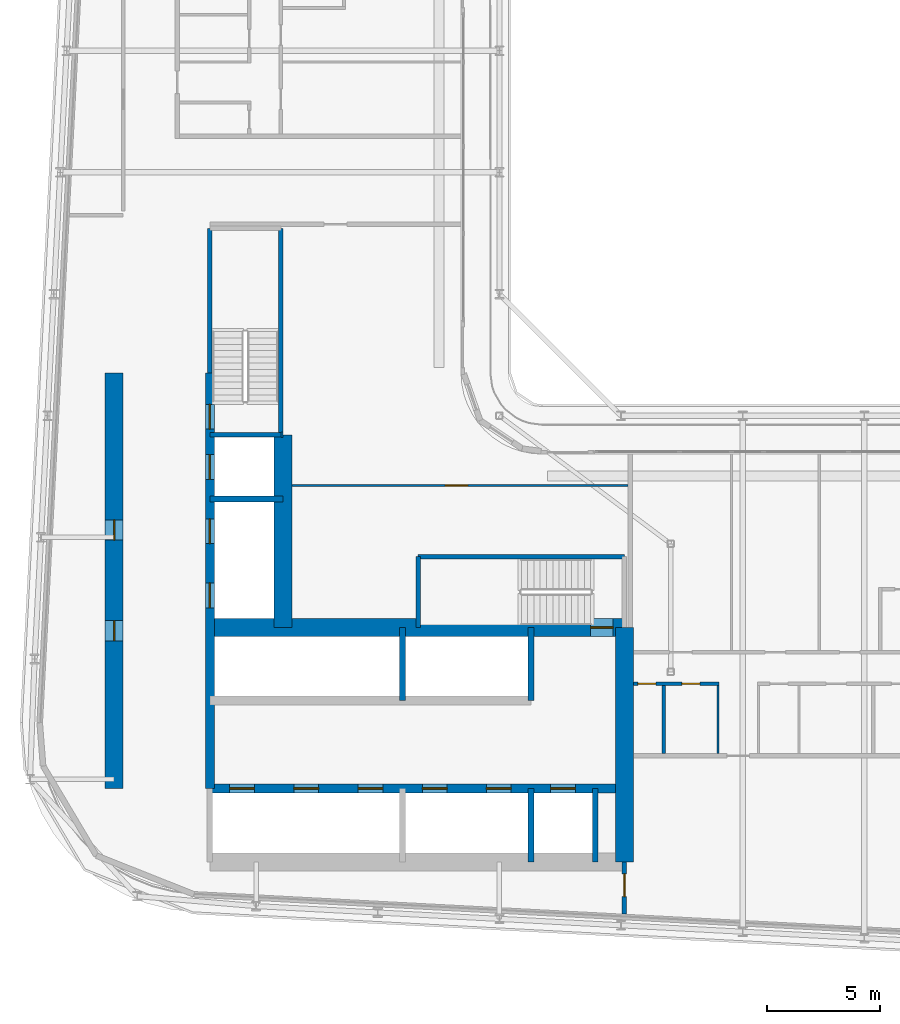
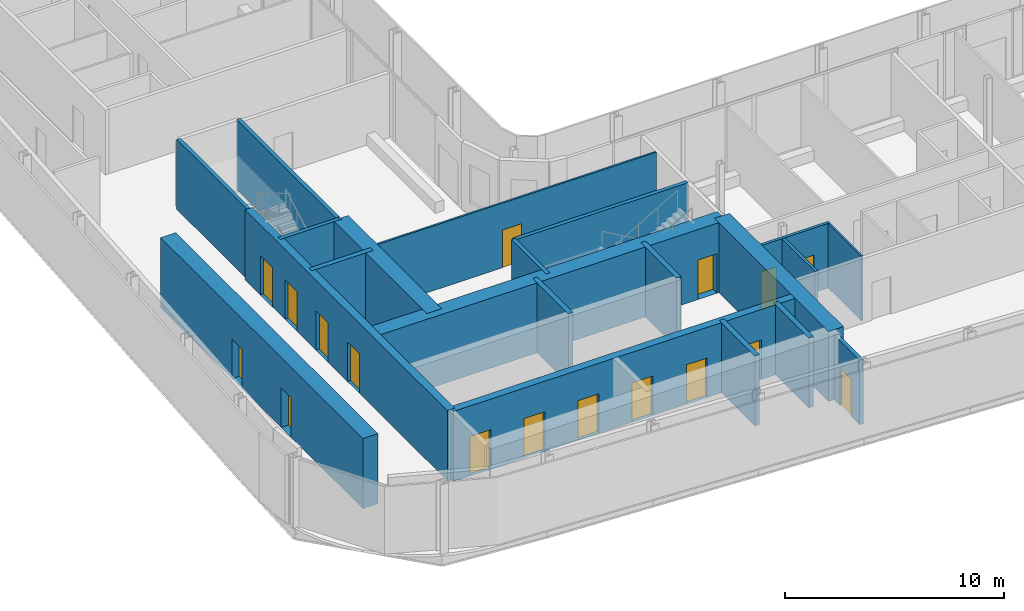
# One storey, part 11 of 24: 22 walls, 17 doors, 17 openings.
"""IFC4 building model written with IfcOpenShell, lengths in metres."""

from ifc_helpers import new_model, si_unit, direction, frame, frame_2d, origin, place, context, subcontext, project, spatial, rectangle, extrude, source, transform, mapped, material, layer, layer_set, type_object, element, fill, save


model = new_model("IFC4")

# Units and contexts
model_context = context("Model", 3, precision=1e-05, world=origin(), true_north=direction((0.0, 1.0)))
body_context = subcontext(model_context, "Body", "Model", "MODEL_VIEW")
ifc_project = project(units=[si_unit("LENGTHUNIT", "METRE"), si_unit("AREAUNIT", "SQUARE_METRE"), si_unit("VOLUMEUNIT", "CUBIC_METRE"), si_unit("PLANEANGLEUNIT", "RADIAN"), si_unit("MASSUNIT", "GRAM", prefix="KILO")], contexts=[model_context])

# Site, building, storey
site_placement = place(None, origin())
site = spatial("IfcSite", under=ifc_project, at=site_placement, CompositionType="ELEMENT")
building_placement = place(site_placement, origin())
building = spatial("IfcBuilding", under=site, at=building_placement, Name="Kheshtan School and Residences Tower", CompositionType="ELEMENT")
storey_placement = place(building_placement, frame((0.0, 0.0, 160.39990234375)))
storey = spatial("IfcBuildingStorey", under=building, at=storey_placement, Name="L37", CompositionType="ELEMENT", Elevation=160.39990234375)

# Wall, openings, doors
ifc_material_1 = material(Name="Concrete C50/60", Category="concrete")
ifc_layer_1 = layer(ifc_material_1, 0.39990234375)
ifc_layer_set_1 = layer_set([ifc_layer_1], Name="Core wall 400 Concrete C50/60")
wall_type_1 = type_object("IfcWallType", Name="Core wall 400 Concrete C50/60", PredefinedType="SHEAR", material=ifc_layer_set_1)
wall_1_placement = place(storey_placement, frame((34.75, 29.050048828125, 0.0), z_axis=(0.0, 0.0, 1.0), x_axis=(1.0, 0.0, 0.0)))
wall_1 = element("IfcWall", 1, at=wall_1_placement, inside=storey, type_object=wall_type_1, Name="Core wall CW-HALL-S1", PredefinedType="SHEAR", context=body_context, shape_type="SweptSolid", body=[
    extrude(rectangle(XDim=18.39990234375, YDim=0.39990234375, at=frame_2d((9.199951171875, 0.0))), origin(), (0.0, 0.0, 1.0), 3.900146484375),
])
opening_1_placement = place(wall_1_placement, frame((0.875, 0.0, 0.0)))
opening_1 = element("IfcOpeningElement", 2, at=opening_1_placement, cuts=wall_1, Name="Opening LD", PredefinedType="OPENING", context=body_context, shape_type="SweptSolid", body=[
    extrude(rectangle(XDim=1.10009765625, YDim=2.199951171875, at=frame_2d((0.550048828125, 1.10009765625))), frame((0.0, 0.2099609375, 0.0), z_axis=(0.0, -1.0, 0.0), x_axis=(1.0, 0.0, 0.0)), (0.0, 0.0, 1.0), 0.419921875),
])
opening_2_placement = place(wall_1_placement, frame((3.72509765625, 0.0, 0.0)))
opening_2 = element("IfcOpeningElement", 3, at=opening_2_placement, cuts=wall_1, Name="Opening LD", PredefinedType="OPENING", context=body_context, shape_type="SweptSolid", body=[
    extrude(rectangle(XDim=1.10009765625, YDim=2.199951171875, at=frame_2d((0.550048828125, 1.10009765625))), frame((0.0, 0.2099609375, 0.0), z_axis=(0.0, -1.0, 0.0), x_axis=(1.0, 0.0, 0.0)), (0.0, 0.0, 1.0), 0.419921875),
])
opening_3_placement = place(wall_1_placement, frame((6.574951171875, 0.0, 0.0)))
opening_3 = element("IfcOpeningElement", 4, at=opening_3_placement, cuts=wall_1, Name="Opening LD", PredefinedType="OPENING", context=body_context, shape_type="SweptSolid", body=[
    extrude(rectangle(XDim=1.10009765625, YDim=2.199951171875, at=frame_2d((0.550048828125, 1.10009765625))), frame((0.0, 0.2099609375, 0.0), z_axis=(0.0, -1.0, 0.0), x_axis=(1.0, 0.0, 0.0)), (0.0, 0.0, 1.0), 0.419921875),
])
opening_4_placement = place(wall_1_placement, frame((9.425048828125, 0.0, 0.0)))
opening_4 = element("IfcOpeningElement", 5, at=opening_4_placement, cuts=wall_1, Name="Opening LD", PredefinedType="OPENING", context=body_context, shape_type="SweptSolid", body=[
    extrude(rectangle(XDim=1.10009765625, YDim=2.199951171875, at=frame_2d((0.550048828125, 1.10009765625))), frame((0.0, 0.2099609375, 0.0), z_axis=(0.0, -1.0, 0.0), x_axis=(1.0, 0.0, 0.0)), (0.0, 0.0, 1.0), 0.419921875),
])
opening_5_placement = place(wall_1_placement, frame((12.27490234375, 0.0, 0.0)))
opening_5 = element("IfcOpeningElement", 6, at=opening_5_placement, cuts=wall_1, Name="Opening LD", PredefinedType="OPENING", context=body_context, shape_type="SweptSolid", body=[
    extrude(rectangle(XDim=1.10009765625, YDim=2.199951171875, at=frame_2d((0.550048828125, 1.10009765625))), frame((0.0, 0.2099609375, 0.0), z_axis=(0.0, -1.0, 0.0), x_axis=(1.0, 0.0, 0.0)), (0.0, 0.0, 1.0), 0.419921875),
])
opening_6_placement = place(wall_1_placement, frame((15.125, 0.0, 0.0)))
opening_6 = element("IfcOpeningElement", 7, at=opening_6_placement, cuts=wall_1, Name="Opening LD", PredefinedType="OPENING", context=body_context, shape_type="SweptSolid", body=[
    extrude(rectangle(XDim=1.10009765625, YDim=2.199951171875, at=frame_2d((0.550048828125, 1.10009765625))), frame((0.0, 0.2099609375, 0.0), z_axis=(0.0, -1.0, 0.0), x_axis=(1.0, 0.0, 0.0)), (0.0, 0.0, 1.0), 0.419921875),
])
ifc_material_2 = material(Name="Stainless steel door leaves", Category="steel")
door_type_1 = type_object("IfcDoorType", Name="Lift landing door 1100", OperationType="SLIDING_TO_LEFT", PredefinedType="DOOR", material=ifc_material_2)
shared_shape_1 = source(origin(), body_context, "Body", "SweptSolid", [
    extrude(rectangle(XDim=1.10009765625, YDim=2.199951171875, at=frame_2d((0.550048828125, 1.10009765625))), frame((0.0, 0.02490234375, 0.0), z_axis=(0.0, -1.0, 0.0), x_axis=(1.0, 0.0, 0.0)), (0.0, 0.0, 1.0), 0.050048828125),
])
door_1_placement = place(opening_1_placement, origin())
door_1 = element("IfcDoor", 8, at=door_1_placement, inside=storey, type_object=door_type_1, Name="Lift P7 landing door", OperationType="SLIDING_TO_LEFT", OverallHeight=2.199951171875, OverallWidth=1.10009765625, PredefinedType="DOOR", context=body_context, shape_type="MappedRepresentation", body=[
    mapped(shared_shape_1, transform((0.0, 0.0, 0.0), x_axis=(1.0, 0.0, 0.0), y_axis=(0.0, 1.0, 0.0), z_axis=(0.0, 0.0, 1.0), scale=1.0)),
])
fill(opening_1, door_1)
door_2_placement = place(opening_2_placement, origin())
door_2 = element("IfcDoor", 9, at=door_2_placement, inside=storey, type_object=door_type_1, Name="Lift P8 landing door", OperationType="SLIDING_TO_LEFT", OverallHeight=2.199951171875, OverallWidth=1.10009765625, PredefinedType="DOOR", context=body_context, shape_type="MappedRepresentation", body=[
    mapped(shared_shape_1, transform((0.0, 0.0, 0.0), x_axis=(1.0, 0.0, 0.0), y_axis=(0.0, 1.0, 0.0), z_axis=(0.0, 0.0, 1.0), scale=1.0)),
])
fill(opening_2, door_2)
door_3_placement = place(opening_3_placement, origin())
door_3 = element("IfcDoor", 10, at=door_3_placement, inside=storey, type_object=door_type_1, Name="Lift P9 landing door", OperationType="SLIDING_TO_LEFT", OverallHeight=2.199951171875, OverallWidth=1.10009765625, PredefinedType="DOOR", context=body_context, shape_type="MappedRepresentation", body=[
    mapped(shared_shape_1, transform((0.0, 0.0, 0.0), x_axis=(1.0, 0.0, 0.0), y_axis=(0.0, 1.0, 0.0), z_axis=(0.0, 0.0, 1.0), scale=1.0)),
])
fill(opening_3, door_3)
door_4_placement = place(opening_4_placement, origin())
door_4 = element("IfcDoor", 11, at=door_4_placement, inside=storey, type_object=door_type_1, Name="Lift P10 landing door", OperationType="SLIDING_TO_LEFT", OverallHeight=2.199951171875, OverallWidth=1.10009765625, PredefinedType="DOOR", context=body_context, shape_type="MappedRepresentation", body=[
    mapped(shared_shape_1, transform((0.0, 0.0, 0.0), x_axis=(1.0, 0.0, 0.0), y_axis=(0.0, 1.0, 0.0), z_axis=(0.0, 0.0, 1.0), scale=1.0)),
])
fill(opening_4, door_4)
door_5_placement = place(opening_5_placement, origin())
door_5 = element("IfcDoor", 12, at=door_5_placement, inside=storey, type_object=door_type_1, Name="Lift P11 landing door", OperationType="SLIDING_TO_LEFT", OverallHeight=2.199951171875, OverallWidth=1.10009765625, PredefinedType="DOOR", context=body_context, shape_type="MappedRepresentation", body=[
    mapped(shared_shape_1, transform((0.0, 0.0, 0.0), x_axis=(1.0, 0.0, 0.0), y_axis=(0.0, 1.0, 0.0), z_axis=(0.0, 0.0, 1.0), scale=1.0)),
])
fill(opening_5, door_5)
door_6_placement = place(opening_6_placement, origin())
door_6 = element("IfcDoor", 13, at=door_6_placement, inside=storey, type_object=door_type_1, Name="Lift FFL2 landing door", OperationType="SLIDING_TO_LEFT", OverallHeight=2.199951171875, OverallWidth=1.10009765625, PredefinedType="DOOR", context=body_context, shape_type="MappedRepresentation", body=[
    mapped(shared_shape_1, transform((0.0, 0.0, 0.0), x_axis=(1.0, 0.0, 0.0), y_axis=(0.0, 1.0, 0.0), z_axis=(0.0, 0.0, 1.0), scale=1.0)),
])
fill(opening_6, door_6)

wall_2_placement = place(storey_placement, frame((34.75, 29.050048828125, 0.0), z_axis=(0.0, 0.0, 1.0), x_axis=(0.0, 1.0, 0.0)))
wall_2 = element("IfcWall", 14, at=wall_2_placement, inside=storey, type_object=wall_type_1, Name="Core wall CW-HALL-W1", PredefinedType="SHEAR", context=body_context, shape_type="SweptSolid", body=[
    extrude(rectangle(XDim=18.449951171875, YDim=0.39990234375, at=frame_2d((9.22509765625, 0.0))), origin(), (0.0, 0.0, 1.0), 3.900146484375),
])
opening_7_placement = place(wall_2_placement, frame((8.02490234375, 0.0, 0.0)))
opening_7 = element("IfcOpeningElement", 15, at=opening_7_placement, cuts=wall_2, Name="Opening LD", PredefinedType="OPENING", context=body_context, shape_type="SweptSolid", body=[
    extrude(rectangle(XDim=1.10009765625, YDim=2.199951171875, at=frame_2d((0.550048828125, 1.10009765625))), frame((0.0, 0.2099609375, 0.0), z_axis=(0.0, -1.0, 0.0), x_axis=(1.0, 0.0, 0.0)), (0.0, 0.0, 1.0), 0.419921875),
])
opening_8_placement = place(wall_2_placement, frame((10.875, 0.0, 0.0)))
opening_8 = element("IfcOpeningElement", 16, at=opening_8_placement, cuts=wall_2, Name="Opening LD", PredefinedType="OPENING", context=body_context, shape_type="SweptSolid", body=[
    extrude(rectangle(XDim=1.10009765625, YDim=2.199951171875, at=frame_2d((0.550048828125, 1.10009765625))), frame((0.0, 0.2099609375, 0.0), z_axis=(0.0, -1.0, 0.0), x_axis=(1.0, 0.0, 0.0)), (0.0, 0.0, 1.0), 0.419921875),
])
opening_9_placement = place(wall_2_placement, frame((13.72509765625, 0.0, 0.0)))
opening_9 = element("IfcOpeningElement", 17, at=opening_9_placement, cuts=wall_2, Name="Opening LD", PredefinedType="OPENING", context=body_context, shape_type="SweptSolid", body=[
    extrude(rectangle(XDim=1.10009765625, YDim=2.199951171875, at=frame_2d((0.550048828125, 1.10009765625))), frame((0.0, 0.2099609375, 0.0), z_axis=(0.0, -1.0, 0.0), x_axis=(1.0, 0.0, 0.0)), (0.0, 0.0, 1.0), 0.419921875),
])
opening_10_placement = place(wall_2_placement, frame((15.949951171875, 0.0, 0.0)))
opening_10 = element("IfcOpeningElement", 18, at=opening_10_placement, cuts=wall_2, Name="Opening ST2D", PredefinedType="OPENING", context=body_context, shape_type="SweptSolid", body=[
    extrude(rectangle(XDim=1.10009765625, YDim=2.199951171875, at=frame_2d((0.550048828125, 1.10009765625))), frame((0.0, 0.2099609375, 0.0), z_axis=(0.0, -1.0, 0.0), x_axis=(1.0, 0.0, 0.0)), (0.0, 0.0, 1.0), 0.419921875),
])
door_7_placement = place(opening_7_placement, origin())
door_7 = element("IfcDoor", 19, at=door_7_placement, inside=storey, type_object=door_type_1, Name="Lift SV1 landing door", OperationType="SLIDING_TO_LEFT", OverallHeight=2.199951171875, OverallWidth=1.10009765625, PredefinedType="DOOR", context=body_context, shape_type="MappedRepresentation", body=[
    mapped(shared_shape_1, transform((0.0, 0.0, 0.0), x_axis=(1.0, 0.0, 0.0), y_axis=(0.0, 1.0, 0.0), z_axis=(0.0, 0.0, 1.0), scale=1.0)),
])
fill(opening_7, door_7)
door_8_placement = place(opening_8_placement, origin())
door_8 = element("IfcDoor", 20, at=door_8_placement, inside=storey, type_object=door_type_1, Name="Lift SV2 landing door", OperationType="SLIDING_TO_LEFT", OverallHeight=2.199951171875, OverallWidth=1.10009765625, PredefinedType="DOOR", context=body_context, shape_type="MappedRepresentation", body=[
    mapped(shared_shape_1, transform((0.0, 0.0, 0.0), x_axis=(1.0, 0.0, 0.0), y_axis=(0.0, 1.0, 0.0), z_axis=(0.0, 0.0, 1.0), scale=1.0)),
])
fill(opening_8, door_8)
door_9_placement = place(opening_9_placement, origin())
door_9 = element("IfcDoor", 21, at=door_9_placement, inside=storey, type_object=door_type_1, Name="Lift FFL1 landing door", OperationType="SLIDING_TO_LEFT", OverallHeight=2.199951171875, OverallWidth=1.10009765625, PredefinedType="DOOR", context=body_context, shape_type="MappedRepresentation", body=[
    mapped(shared_shape_1, transform((0.0, 0.0, 0.0), x_axis=(1.0, 0.0, 0.0), y_axis=(0.0, 1.0, 0.0), z_axis=(0.0, 0.0, 1.0), scale=1.0)),
])
fill(opening_9, door_9)
ifc_material_3 = material(Name="Steel door leaf, galvanised", Category="steel")
door_type_2 = type_object("IfcDoorType", Name="Stair door 1100 steel 90 min", OperationType="SINGLE_SWING_LEFT", PredefinedType="DOOR", material=ifc_material_3)
shared_shape_2 = source(origin(), body_context, "Body", "SweptSolid", [
    extrude(rectangle(XDim=1.10009765625, YDim=2.199951171875, at=frame_2d((0.550048828125, 1.10009765625))), frame((0.0, 0.02490234375, 0.0), z_axis=(0.0, -1.0, 0.0), x_axis=(1.0, 0.0, 0.0)), (0.0, 0.0, 1.0), 0.050048828125),
])
door_10_placement = place(opening_10_placement, origin())
door_10 = element("IfcDoor", 22, at=door_10_placement, inside=storey, type_object=door_type_2, Name="Stair ST2 door", OperationType="SINGLE_SWING_RIGHT", OverallHeight=2.199951171875, OverallWidth=1.10009765625, PredefinedType="DOOR", context=body_context, shape_type="MappedRepresentation", body=[
    mapped(shared_shape_2, transform((0.0, 0.0, 0.0), x_axis=(1.0, 0.0, 0.0), y_axis=(0.0, 1.0, 0.0), z_axis=(0.0, 0.0, 1.0), scale=1.0)),
])
fill(opening_10, door_10)

# Wall, opening, door
ifc_material_4 = material(Name="Concrete C70/85", Category="concrete")
ifc_layer_2 = layer(ifc_material_4, 0.800048828125)
ifc_layer_set_2 = layer_set([ifc_layer_2], Name="Core wall 800 Concrete C70/85")
wall_type_2 = type_object("IfcWallType", Name="Core wall 800 Concrete C70/85", PredefinedType="SHEAR", material=ifc_layer_set_2)
wall_3_placement = place(storey_placement, frame((34.75, 36.199951171875, 0.0), z_axis=(0.0, 0.0, 1.0), x_axis=(1.0, 0.0, 0.0)))
wall_3 = element("IfcWall", 23, at=wall_3_placement, inside=storey, type_object=wall_type_2, Name="Core wall CW-FRONT-S", PredefinedType="SHEAR", context=body_context, shape_type="SweptSolid", body=[
    extrude(rectangle(XDim=18.39990234375, YDim=0.800048828125, at=frame_2d((9.199951171875, 0.0))), origin(), (0.0, 0.0, 1.0), 3.900146484375),
])
opening_11_placement = place(wall_3_placement, frame((16.89990234375, 0.0, 0.0)))
opening_11 = element("IfcOpeningElement", 24, at=opening_11_placement, cuts=wall_3, Name="Opening ST1D", PredefinedType="OPENING", context=body_context, shape_type="SweptSolid", body=[
    extrude(rectangle(XDim=1.0, YDim=2.199951171875, at=frame_2d((0.5, 1.10009765625))), frame((0.0, 0.41015625, 0.0), z_axis=(0.0, -1.0, 0.0), x_axis=(1.0, 0.0, 0.0)), (0.0, 0.0, 1.0), 0.820068359375),
])
shared_shape_3 = source(origin(), body_context, "Body", "SweptSolid", [
    extrude(rectangle(XDim=1.0, YDim=2.199951171875, at=frame_2d((0.5, 1.10009765625))), frame((0.0, 0.02490234375, 0.0), z_axis=(0.0, -1.0, 0.0), x_axis=(1.0, 0.0, 0.0)), (0.0, 0.0, 1.0), 0.050048828125),
])
door_11_placement = place(opening_11_placement, origin())
door_11 = element("IfcDoor", 25, at=door_11_placement, inside=storey, type_object=door_type_2, Name="Stair ST1 door", OperationType="SINGLE_SWING_RIGHT", OverallHeight=2.199951171875, OverallWidth=1.0, PredefinedType="DOOR", context=body_context, shape_type="MappedRepresentation", body=[
    mapped(shared_shape_3, transform((0.0, 0.0, 0.0), x_axis=(1.0, 0.0, 0.0), y_axis=(0.0, 1.0, 0.0), z_axis=(0.0, 0.0, 1.0), scale=1.0)),
])
fill(opening_11, door_11)

# Wall
wall_4_placement = place(storey_placement, frame((38.0, 36.199951171875, 0.0), z_axis=(0.0, 0.0, 1.0), x_axis=(0.0, 1.0, 0.0)))
element("IfcWall", 26, at=wall_4_placement, inside=storey, type_object=wall_type_2, Name="Core wall CW-FRONT-W", PredefinedType="SHEAR", context=body_context, shape_type="SweptSolid", body=[
    extrude(rectangle(XDim=8.550048828125, YDim=0.800048828125, at=frame_2d((4.27490234375, 0.0))), origin(), (0.0, 0.0, 1.0), 3.900146484375),
])

# Wall, openings, doors
wall_5_placement = place(storey_placement, frame((30.5, 29.050048828125, 0.0), z_axis=(0.0, 0.0, 1.0), x_axis=(0.0, 1.0, 0.0)))
wall_5 = element("IfcWall", 27, at=wall_5_placement, inside=storey, type_object=wall_type_2, Name="Core wall CW-REAR-W", PredefinedType="SHEAR", context=body_context, shape_type="SweptSolid", body=[
    extrude(rectangle(XDim=18.449951171875, YDim=0.800048828125, at=frame_2d((9.22509765625, 0.0))), origin(), (0.0, 0.0, 1.0), 3.900146484375),
])
opening_12_placement = place(wall_5_placement, frame((6.550048828125, 0.0, 0.0)))
opening_12 = element("IfcOpeningElement", 28, at=opening_12_placement, cuts=wall_5, Name="Opening SR90", PredefinedType="OPENING", context=body_context, shape_type="SweptSolid", body=[
    extrude(rectangle(XDim=0.89990234375, YDim=2.199951171875, at=frame_2d((0.449951171875, 1.10009765625))), frame((0.0, 0.41015625, 0.0), z_axis=(0.0, -1.0, 0.0), x_axis=(1.0, 0.0, 0.0)), (0.0, 0.0, 1.0), 0.820068359375),
])
opening_13_placement = place(wall_5_placement, frame((11.02490234375, 0.0, 0.0)))
opening_13 = element("IfcOpeningElement", 29, at=opening_13_placement, cuts=wall_5, Name="Opening SR90", PredefinedType="OPENING", context=body_context, shape_type="SweptSolid", body=[
    extrude(rectangle(XDim=0.89990234375, YDim=2.199951171875, at=frame_2d((0.449951171875, 1.10009765625))), frame((0.0, 0.41015625, 0.0), z_axis=(0.0, -1.0, 0.0), x_axis=(1.0, 0.0, 0.0)), (0.0, 0.0, 1.0), 0.820068359375),
])
door_type_3 = type_object("IfcDoorType", Name="Service room door 900 steel 90 min", OperationType="SINGLE_SWING_LEFT", PredefinedType="DOOR", material=ifc_material_3)
shared_shape_4 = source(origin(), body_context, "Body", "SweptSolid", [
    extrude(rectangle(XDim=0.89990234375, YDim=2.199951171875, at=frame_2d((0.449951171875, 1.10009765625))), frame((0.0, 0.02490234375, 0.0), z_axis=(0.0, -1.0, 0.0), x_axis=(1.0, 0.0, 0.0)), (0.0, 0.0, 1.0), 0.050048828125),
])
door_12_placement = place(opening_12_placement, origin())
door_12 = element("IfcDoor", 30, at=door_12_placement, inside=storey, type_object=door_type_3, Name="Service room door", OperationType="SINGLE_SWING_RIGHT", OverallHeight=2.199951171875, OverallWidth=0.89990234375, PredefinedType="DOOR", context=body_context, shape_type="MappedRepresentation", body=[
    mapped(shared_shape_4, transform((0.0, 0.0, 0.0), x_axis=(1.0, 0.0, 0.0), y_axis=(0.0, 1.0, 0.0), z_axis=(0.0, 0.0, 1.0), scale=1.0)),
])
fill(opening_12, door_12)
door_13_placement = place(opening_13_placement, origin())
door_13 = element("IfcDoor", 31, at=door_13_placement, inside=storey, type_object=door_type_3, Name="Service room door", OperationType="SINGLE_SWING_RIGHT", OverallHeight=2.199951171875, OverallWidth=0.89990234375, PredefinedType="DOOR", context=body_context, shape_type="MappedRepresentation", body=[
    mapped(shared_shape_4, transform((0.0, 0.0, 0.0), x_axis=(1.0, 0.0, 0.0), y_axis=(0.0, 1.0, 0.0), z_axis=(0.0, 0.0, 1.0), scale=1.0)),
])
fill(opening_13, door_13)

# Wall
wall_6_placement = place(storey_placement, frame((53.14990234375, 25.800048828125, 0.0), z_axis=(0.0, 0.0, 1.0), x_axis=(0.0, 1.0, 0.0)))
element("IfcWall", 32, at=wall_6_placement, inside=storey, type_object=wall_type_2, Name="Core wall CW-EAST", PredefinedType="SHEAR", context=body_context, shape_type="SweptSolid", body=[
    extrude(rectangle(XDim=10.39990234375, YDim=0.800048828125, at=frame_2d((5.199951171875, 0.0))), origin(), (0.0, 0.0, 1.0), 3.900146484375),
])

# Wall, opening, door
ifc_material_5 = material(Name="Gypsum board on steel studs with fire boards", Category="steel")
ifc_layer_3 = layer(ifc_material_5, 0.199951171875)
ifc_layer_set_3 = layer_set([ifc_layer_3], Name="Corridor wall 200")
wall_type_3 = type_object("IfcWallType", Name="Corridor wall 200", PredefinedType="PARTITIONING", material=ifc_layer_set_3)
wall_7_placement = place(storey_placement, frame((53.14990234375, 23.472412109375, 0.0), z_axis=(0.0, 0.0, 1.0), x_axis=(0.0, 1.0, 0.0)))
wall_7 = element("IfcWall", 33, at=wall_7_placement, inside=storey, type_object=wall_type_3, Name="Partition L37-035", PredefinedType="PARTITIONING", context=body_context, shape_type="SweptSolid", body=[
    extrude(rectangle(XDim=2.32763671875, YDim=0.199951171875, at=frame_2d((1.163818359375, 0.0))), origin(), (0.0, 0.0, 1.0), 3.60009765625),
])
opening_14_placement = place(wall_7_placement, frame((0.784912109375, 0.0, 0.0)))
opening_14 = element("IfcOpeningElement", 34, at=opening_14_placement, cuts=wall_7, Name="Opening D37-050", PredefinedType="OPENING", context=body_context, shape_type="SweptSolid", body=[
    extrude(rectangle(XDim=1.0, YDim=2.10009765625, at=frame_2d((0.5, 1.050048828125))), frame((0.0, 0.10986328125, 0.0), z_axis=(0.0, -1.0, 0.0), x_axis=(1.0, 0.0, 0.0)), (0.0, 0.0, 1.0), 0.219970703125),
])
ifc_material_6 = material(Name="Steel-framed fire-resisting door leaf", Category="steel")
door_type_4 = type_object("IfcDoorType", Name="Fire door FD60 1000 x 2100", OperationType="SINGLE_SWING_LEFT", PredefinedType="DOOR", material=ifc_material_6)
shared_shape_5 = source(origin(), body_context, "Body", "SweptSolid", [
    extrude(rectangle(XDim=1.0, YDim=2.10009765625, at=frame_2d((0.5, 1.050048828125))), frame((0.0, 0.02490234375, 0.0), z_axis=(0.0, -1.0, 0.0), x_axis=(1.0, 0.0, 0.0)), (0.0, 0.0, 1.0), 0.050048828125),
])
door_14_placement = place(opening_14_placement, origin())
door_14 = element("IfcDoor", 35, at=door_14_placement, inside=storey, type_object=door_type_4, Name="Door D37-050", OperationType="SINGLE_SWING_RIGHT", OverallHeight=2.10009765625, OverallWidth=1.0, PredefinedType="DOOR", context=body_context, shape_type="MappedRepresentation", body=[
    mapped(shared_shape_5, transform((0.0, 0.0, 0.0), x_axis=(1.0, 0.0, 0.0), y_axis=(0.0, 1.0, 0.0), z_axis=(0.0, 0.0, 1.0), scale=1.0)),
])
fill(opening_14, door_14)

ifc_material_7 = material(Name="Gypsum board on steel studs", Category="steel")
ifc_layer_4 = layer(ifc_material_7, 0.10009765625)
ifc_layer_set_4 = layer_set([ifc_layer_4], Name="Gypsum partition 100")
wall_type_4 = type_object("IfcWallType", Name="Gypsum partition 100", PredefinedType="PARTITIONING", material=ifc_layer_set_4)
wall_8_placement = place(storey_placement, frame((38.39892578125, 42.5, 0.0), z_axis=(0.0, 0.0, 1.0), x_axis=(1.0, 0.0, 0.0)))
wall_8 = element("IfcWall", 36, at=wall_8_placement, inside=storey, type_object=wall_type_4, Name="Partition L37-033", PredefinedType="PARTITIONING", context=body_context, shape_type="SweptSolid", body=[
    extrude(rectangle(XDim=14.901123046875, YDim=0.10009765625, at=frame_2d((7.45068359375, 0.0))), origin(), (0.0, 0.0, 1.0), 3.60009765625),
])
opening_15_placement = place(wall_8_placement, frame((6.801025390625, 0.0, 0.0)))
opening_15 = element("IfcOpeningElement", 37, at=opening_15_placement, cuts=wall_8, Name="Opening D37-049", PredefinedType="OPENING", context=body_context, shape_type="SweptSolid", body=[
    extrude(rectangle(XDim=1.0, YDim=2.10009765625, at=frame_2d((0.5, 1.050048828125))), frame((0.0, 0.06005859375, 0.0), z_axis=(0.0, -1.0, 0.0), x_axis=(1.0, 0.0, 0.0)), (0.0, 0.0, 1.0), 0.1201171875),
])
ifc_material_8 = material(Name="Veneered timber door leaf", Category="wood")
door_type_5 = type_object("IfcDoorType", Name="Door 1000 x 2100", OperationType="SINGLE_SWING_LEFT", PredefinedType="DOOR", material=ifc_material_8)
shared_shape_6 = source(origin(), body_context, "Body", "SweptSolid", [
    extrude(rectangle(XDim=1.0, YDim=2.10009765625, at=frame_2d((0.5, 1.050048828125))), frame((0.0, 0.02490234375, 0.0), z_axis=(0.0, -1.0, 0.0), x_axis=(1.0, 0.0, 0.0)), (0.0, 0.0, 1.0), 0.050048828125),
])
door_15_placement = place(opening_15_placement, origin())
door_15 = element("IfcDoor", 38, at=door_15_placement, inside=storey, type_object=door_type_5, Name="Door D37-049", OperationType="SINGLE_SWING_LEFT", OverallHeight=2.10009765625, OverallWidth=1.0, PredefinedType="DOOR", context=body_context, shape_type="MappedRepresentation", body=[
    mapped(shared_shape_6, transform((0.0, 0.0, 0.0), x_axis=(1.0, 0.0, 0.0), y_axis=(0.0, 1.0, 0.0), z_axis=(0.0, 0.0, 1.0), scale=1.0)),
])
fill(opening_15, door_15)

# Walls
wall_9_placement = place(storey_placement, frame((57.300048828125, 30.60009765625, 0.0), z_axis=(0.0, 0.0, 1.0), x_axis=(0.0, 1.0, 0.0)))
element("IfcWall", 39, at=wall_9_placement, inside=storey, type_object=wall_type_4, Name="Partition L37-041", PredefinedType="PARTITIONING", context=body_context, shape_type="SweptSolid", body=[
    extrude(rectangle(XDim=3.02490234375, YDim=0.10009765625, at=frame_2d((1.512451171875, 0.0))), origin(), (0.0, 0.0, 1.0), 3.60009765625),
])
ifc_material_9 = material(Name="Fire-board shaft wall system")
ifc_layer_5 = layer(ifc_material_9, 0.25)
ifc_layer_set_5 = layer_set([ifc_layer_5], Name="Shaft lining wall 250")
wall_type_5 = type_object("IfcWallType", Name="Shaft lining wall 250", PredefinedType="PARTITIONING", material=ifc_layer_set_5)
for number, where, z_axis, x_axis, name in (
    (40, (43.300048828125, 32.949951171875, 0.0), (0.0, 0.0, 1.0), (0.0, 1.0, 0.0), "Shaft lining wall"),
    (41, (49.0, 25.800048828125, 0.0), (0.0, 0.0, 1.0), (0.0, 1.0, 0.0), "Shaft lining wall"),
    (42, (49.0, 32.949951171875, 0.0), (0.0, 0.0, 1.0), (0.0, 1.0, 0.0), "Shaft lining wall"),
    (43, (51.85009765625, 25.800048828125, 0.0), (0.0, 0.0, 1.0), (0.0, 1.0, 0.0), "Shaft lining wall"),
    (44, (34.75, 41.89990234375, 0.0), (0.0, 0.0, 1.0), (1.0, 0.0, 0.0), "Shaft lining wall"),
):
    element("IfcWall", number, at=place(storey_placement, frame(where, z_axis=z_axis, x_axis=x_axis)), inside=storey, type_object=wall_type_5, Name=name, PredefinedType="PARTITIONING", context=body_context, shape_type="SweptSolid", body=[
        extrude(rectangle(XDim=3.25, YDim=0.25, at=frame_2d((1.625, 0.0))), origin(), (0.0, 0.0, 1.0), 3.900146484375),
    ])
wall_10_placement = place(storey_placement, frame((37.89990234375, 44.75, 0.0), z_axis=(0.0, 0.0, 1.0), x_axis=(1.0, 0.0, 0.0)))
element("IfcWall", 45, at=wall_10_placement, inside=storey, type_object=wall_type_5, Name="Shaft lining wall", PredefinedType="PARTITIONING", context=body_context, shape_type="SweptSolid", body=[
    extrude(rectangle(XDim=0.10009765625, YDim=0.25, at=frame_2d((0.050048828125, 0.0))), origin(), (0.0, 0.0, 1.0), 3.900146484375),
])
ifc_material_10 = material(Name="Concrete C40/50", Category="concrete")
ifc_layer_6 = layer(ifc_material_10, 0.199951171875)
ifc_layer_set_6 = layer_set([ifc_layer_6], Name="Stair enclosure wall 200 Concrete C40/50")
wall_type_6 = type_object("IfcWallType", Name="Stair enclosure wall 200 Concrete C40/50", PredefinedType="SHEAR", material=ifc_layer_set_6)
wall_11_placement = place(storey_placement, frame((43.989990234375, 39.35009765625, 0.0), z_axis=(0.0, 0.0, 1.0), x_axis=(1.0, 0.0, 0.0)))
element("IfcWall", 46, at=wall_11_placement, inside=storey, type_object=wall_type_6, Name="Stair enclosure wall ST1", PredefinedType="SHEAR", context=body_context, shape_type="SweptSolid", body=[
    extrude(rectangle(XDim=9.159912109375, YDim=0.199951171875, at=frame_2d((4.580078125, 0.0))), origin(), (0.0, 0.0, 1.0), 3.900146484375),
])
wall_12_placement = place(storey_placement, frame((43.989990234375, 36.199951171875, 0.0), z_axis=(0.0, 0.0, 1.0), x_axis=(0.0, 1.0, 0.0)))
element("IfcWall", 47, at=wall_12_placement, inside=storey, type_object=wall_type_6, Name="Stair enclosure wall ST1", PredefinedType="SHEAR", context=body_context, shape_type="SweptSolid", body=[
    extrude(rectangle(XDim=3.150146484375, YDim=0.199951171875, at=frame_2d((1.5751953125, 0.0))), origin(), (0.0, 0.0, 1.0), 3.900146484375),
])
wall_13_placement = place(storey_placement, frame((34.75, 44.75, 0.0), z_axis=(0.0, 0.0, 1.0), x_axis=(1.0, 0.0, 0.0)))
element("IfcWall", 48, at=wall_13_placement, inside=storey, type_object=wall_type_6, Name="Stair enclosure wall ST2", PredefinedType="SHEAR", context=body_context, shape_type="SweptSolid", body=[
    extrude(rectangle(XDim=3.14990234375, YDim=0.199951171875, at=frame_2d((1.574951171875, 0.0))), origin(), (0.0, 0.0, 1.0), 3.900146484375),
])
wall_14_placement = place(storey_placement, frame((34.75, 47.5, 0.0), z_axis=(0.0, 0.0, 1.0), x_axis=(0.0, 1.0, 0.0)))
element("IfcWall", 49, at=wall_14_placement, inside=storey, type_object=wall_type_6, Name="Stair enclosure wall ST2", PredefinedType="SHEAR", context=body_context, shape_type="SweptSolid", body=[
    extrude(rectangle(XDim=6.409912109375, YDim=0.199951171875, at=frame_2d((3.205078125, 0.0))), origin(), (0.0, 0.0, 1.0), 3.900146484375),
])
wall_15_placement = place(storey_placement, frame((37.89990234375, 44.75, 0.0), z_axis=(0.0, 0.0, 1.0), x_axis=(0.0, 1.0, 0.0)))
element("IfcWall", 50, at=wall_15_placement, inside=storey, type_object=wall_type_6, Name="Stair enclosure wall ST2", PredefinedType="SHEAR", context=body_context, shape_type="SweptSolid", body=[
    extrude(rectangle(XDim=9.159912109375, YDim=0.199951171875, at=frame_2d((4.580078125, 0.0))), origin(), (0.0, 0.0, 1.0), 3.900146484375),
])

# Wall, openings, doors
ifc_material_11 = material(Name="Moisture-resistant gypsum board on steel studs", Category="steel")
ifc_layer_7 = layer(ifc_material_11, 0.14990234375)
ifc_layer_set_7 = layer_set([ifc_layer_7], Name="Wet-room partition 150")
wall_type_7 = type_object("IfcWallType", Name="Wet-room partition 150", PredefinedType="PARTITIONING", material=ifc_layer_set_7)
wall_16_placement = place(storey_placement, frame((53.549072265625, 33.699951171875, 0.0), z_axis=(0.0, 0.0, 1.0), x_axis=(1.0, 0.0, 0.0)))
wall_16 = element("IfcWall", 51, at=wall_16_placement, inside=storey, type_object=wall_type_7, Name="Partition L37-038", PredefinedType="PARTITIONING", context=body_context, shape_type="SweptSolid", body=[
    extrude(rectangle(XDim=3.801025390625, YDim=0.14990234375, at=frame_2d((1.900390625, 0.0))), origin(), (0.0, 0.0, 1.0), 3.60009765625),
])
opening_16_placement = place(wall_16_placement, frame((2.15087890625, 0.0, 0.0)))
opening_16 = element("IfcOpeningElement", 52, at=opening_16_placement, cuts=wall_16, Name="Opening D37-003", PredefinedType="OPENING", context=body_context, shape_type="SweptSolid", body=[
    extrude(rectangle(XDim=0.800048828125, YDim=2.10009765625, at=frame_2d((0.39990234375, 1.050048828125))), frame((0.0, 0.0849609375, 0.0), z_axis=(0.0, -1.0, 0.0), x_axis=(1.0, 0.0, 0.0)), (0.0, 0.0, 1.0), 0.169921875),
])
opening_17_placement = place(wall_16_placement, frame((0.200927734375, 0.0, 0.0)))
opening_17 = element("IfcOpeningElement", 53, at=opening_17_placement, cuts=wall_16, Name="Opening D37-010", PredefinedType="OPENING", context=body_context, shape_type="SweptSolid", body=[
    extrude(rectangle(XDim=0.800048828125, YDim=2.10009765625, at=frame_2d((0.39990234375, 1.050048828125))), frame((0.0, 0.0849609375, 0.0), z_axis=(0.0, -1.0, 0.0), x_axis=(1.0, 0.0, 0.0)), (0.0, 0.0, 1.0), 0.169921875),
])
door_type_6 = type_object("IfcDoorType", Name="Door 800 x 2100", OperationType="SINGLE_SWING_LEFT", PredefinedType="DOOR", material=ifc_material_8)
shared_shape_7 = source(origin(), body_context, "Body", "SweptSolid", [
    extrude(rectangle(XDim=0.800048828125, YDim=2.10009765625, at=frame_2d((0.39990234375, 1.050048828125))), frame((0.0, 0.02490234375, 0.0), z_axis=(0.0, -1.0, 0.0), x_axis=(1.0, 0.0, 0.0)), (0.0, 0.0, 1.0), 0.050048828125),
])
door_16_placement = place(opening_16_placement, origin())
door_16 = element("IfcDoor", 54, at=door_16_placement, inside=storey, type_object=door_type_6, Name="Door D37-003", OperationType="SINGLE_SWING_LEFT", OverallHeight=2.10009765625, OverallWidth=0.800048828125, PredefinedType="DOOR", context=body_context, shape_type="MappedRepresentation", body=[
    mapped(shared_shape_7, transform((0.0, 0.0, 0.0), x_axis=(1.0, 0.0, 0.0), y_axis=(0.0, 1.0, 0.0), z_axis=(0.0, 0.0, 1.0), scale=1.0)),
])
fill(opening_16, door_16)
door_17_placement = place(opening_17_placement, origin())
door_17 = element("IfcDoor", 55, at=door_17_placement, inside=storey, type_object=door_type_6, Name="Door D37-010", OperationType="SINGLE_SWING_RIGHT", OverallHeight=2.10009765625, OverallWidth=0.800048828125, PredefinedType="DOOR", context=body_context, shape_type="MappedRepresentation", body=[
    mapped(shared_shape_7, transform((0.0, 0.0, 0.0), x_axis=(1.0, 0.0, 0.0), y_axis=(0.0, 1.0, 0.0), z_axis=(0.0, 0.0, 1.0), scale=1.0)),
])
fill(opening_17, door_17)

# Wall
wall_17_placement = place(storey_placement, frame((54.89990234375, 30.60009765625, 0.0), z_axis=(0.0, 0.0, 1.0), x_axis=(0.0, 1.0, 0.0)))
element("IfcWall", 56, at=wall_17_placement, inside=storey, type_object=wall_type_7, Name="Partition L37-040", PredefinedType="PARTITIONING", context=body_context, shape_type="SweptSolid", body=[
    extrude(rectangle(XDim=3.02490234375, YDim=0.14990234375, at=frame_2d((1.512451171875, 0.0))), origin(), (0.0, 0.0, 1.0), 3.60009765625),
])

save(model, "model.ifc")
